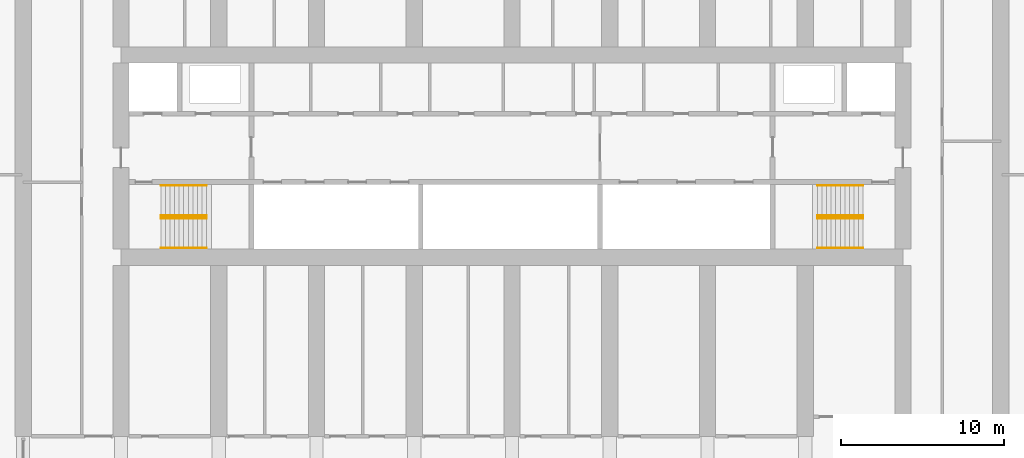
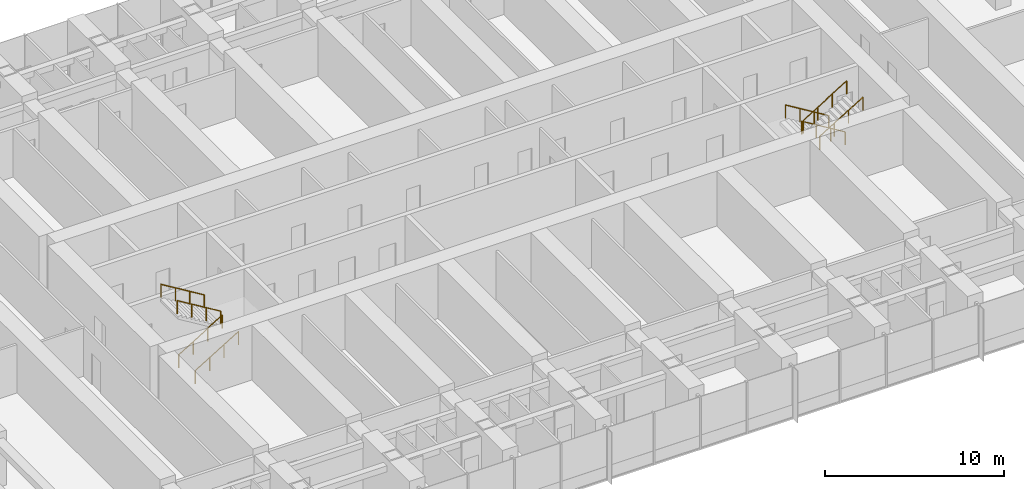
# One storey, part 23 of 23: 8 railings.
"""IFC4 building model written with IfcOpenShell, lengths in metres."""

import ifcopenshell
import ifcopenshell.guid

model = None  # the IFC model being written
_history = None  # IfcOwnerHistory: only IFC2X3 demands one
_inside = {}  # id of a spatial element -> (the spatial element, [elements in it])
_under = {}  # id of a project, library or spatial element -> (it, [spatial elements below it])
_declared = {}  # id of a project -> (the project, [libraries it declares])
_typed = {}  # id of a type object -> (the type object, [elements of that type])
_made_of = {}  # id of a material, layer set ... -> (it, [elements and type objects made of it])


def new_model(schema):
    """Start an empty IFC model of exactly this schema.

    Asked for "IFC4X3", IfcOpenShell would pick the latest addendum, in which some entities
    have other attributes; the version numbers below select the first issue.
    IFC2X3 requires an IfcOwnerHistory on every rooted entity: one is made here for all.
    """
    global model, _history
    if schema == "IFC4X3":
        model = ifcopenshell.file(schema_version=(4, 3, 0, 0))
    else:
        model = ifcopenshell.file(schema=schema)
    _inside.clear()
    _under.clear()
    _declared.clear()
    _typed.clear()
    _made_of.clear()
    _history = None
    if model.schema == "IFC2X3":
        org = make("IfcOrganization", Name="unknown")
        user = make(
            "IfcPersonAndOrganization",
            ThePerson=make("IfcPerson", FamilyName="unknown"),
            TheOrganization=org,
        )
        app = make(
            "IfcApplication",
            ApplicationDeveloper=org,
            Version="unknown",
            ApplicationFullName="unknown",
            ApplicationIdentifier="unknown",
        )
        _history = make(
            "IfcOwnerHistory",
            OwningUser=user,
            OwningApplication=app,
            ChangeAction="ADDED",
            CreationDate=0,
        )
    return model


def make(cls, **values):
    """One entity of the class cls with the attributes given. An attribute that is None is left unset."""
    return model.create_entity(
        cls, **{name: value for name, value in values.items() if value is not None}
    )


def rooted(cls, **values):
    """An entity with a GlobalId (a new one), such as an element, a storey or a relation."""
    return make(cls, GlobalId=ifcopenshell.guid.new(), OwnerHistory=_history, **values)


def si_unit(unit_type, name, prefix=None):
    """IfcSIUnit, for example si_unit("LENGTHUNIT", "METRE", prefix="MILLI")."""
    return make("IfcSIUnit", UnitType=unit_type, Prefix=prefix, Name=name)


def assignment(units):
    """IfcUnitAssignment: the units of a project."""
    return None if units is None else make("IfcUnitAssignment", Units=units)


def point(xyz):
    """IfcCartesianPoint."""
    return None if xyz is None else make("IfcCartesianPoint", Coordinates=xyz)


def direction(xyz):
    """IfcDirection."""
    return None if xyz is None else make("IfcDirection", DirectionRatios=xyz)


def frame(location, z_axis=None, x_axis=None):
    """IfcAxis2Placement3D, a coordinate frame: its origin and axes. An axis left out is left unset."""
    return make(
        "IfcAxis2Placement3D",
        Location=point(location),
        Axis=direction(z_axis),
        RefDirection=direction(x_axis),
    )


def frame_2d(location, x_axis=None):
    """IfcAxis2Placement2D, a coordinate frame in the plane: its origin and x axis."""
    return make(
        "IfcAxis2Placement2D", Location=point(location), RefDirection=direction(x_axis)
    )


def origin():
    """The frame at (0, 0, 0) with its axes left unset."""
    return frame((0.0, 0.0, 0.0))


def origin_2d():
    """The frame at (0, 0) in the plane with its x axis left unset."""
    return frame_2d((0.0, 0.0))


def place(relative_to, where):
    """IfcLocalPlacement: puts the frame where relative to a parent placement (None: the world)."""
    return make(
        "IfcLocalPlacement", PlacementRelTo=relative_to, RelativePlacement=where
    )


def context(
    kind, dimensions, precision=None, world=None, true_north=None, identifier=None
):
    """IfcGeometricRepresentationContext, for example the 3D "Model" context."""
    return make(
        "IfcGeometricRepresentationContext",
        ContextIdentifier=identifier,
        ContextType=kind,
        CoordinateSpaceDimension=dimensions,
        Precision=precision,
        WorldCoordinateSystem=world,
        TrueNorth=true_north,
    )


def subcontext(parent, identifier, kind, view, scale=None):
    """IfcGeometricRepresentationSubContext, for example "Body" below "Model"."""
    return make(
        "IfcGeometricRepresentationSubContext",
        ContextIdentifier=identifier,
        ContextType=kind,
        ParentContext=parent,
        TargetScale=scale,
        TargetView=view,
    )


def project(units=None, contexts=None):
    """IfcProject with its units and contexts."""
    return rooted(
        "IfcProject",
        Name="project",
        RepresentationContexts=contexts,
        UnitsInContext=assignment(units),
    )


def spatial(cls, under=None, at=None, **own):
    """A site, building, storey or space (cls), placed at a placement, below another one or the project."""
    s = rooted(cls, ObjectPlacement=at, **own)
    if under is not None:
        _under.setdefault(under.id(), (under, []))[1].append(s)
    return s


def profile(cls, at=None, kind="AREA", **sizes):
    """A parametric profile (cls). Its sizes go by their IFC names, for example OverallWidth=200.0."""
    return make(cls, ProfileType=kind, Position=at, **sizes)


def circle(**sizes):
    """IfcCircleProfileDef."""
    return profile("IfcCircleProfileDef", **sizes)


def extrude(swept, where, along, depth):
    """IfcExtrudedAreaSolid: the profile swept, set in the frame where, extruded along a direction by depth."""
    return make(
        "IfcExtrudedAreaSolid",
        SweptArea=swept,
        Position=where,
        ExtrudedDirection=direction(along),
        Depth=depth,
    )


def shape(context_of_items, identifier, shape_type, items):
    """IfcShapeRepresentation: the items that make up one representation, for example the "Body"."""
    return make(
        "IfcShapeRepresentation",
        ContextOfItems=context_of_items,
        RepresentationIdentifier=identifier,
        RepresentationType=shape_type,
        Items=items,
    )


def material(Name=None, Category=None):
    """IfcMaterial."""
    return make("IfcMaterial", Name=Name, Category=Category)


def made_of(thing, what):
    """Note that an element or type object is made of a material, layer set ...; save() writes the relation."""
    if what is not None:
        _made_of.setdefault(what.id(), (what, []))[1].append(thing)
    return thing


def type_object(cls, material=None, **own):
    """A type object (cls), such as IfcWallType, which elements share."""
    return made_of(rooted(cls, **own), material)


def element(
    cls,
    number,
    at=None,
    inside=None,
    cuts=None,
    type_object=None,
    material=None,
    context=None,
    identifier="Body",
    shape_type=None,
    held_by="IfcProductDefinitionShape",
    body=None,
    shapes=None,
    **own,
):
    """One element of the class cls, such as IfcWall. Its Tag is "e" and its number.

    at: its placement. inside: the storey or other place that contains it. cuts: it is an
    opening in that element (IfcRelVoidsElement). A single representation is given by context,
    identifier, shape_type and body (its items); several are given by shapes. held_by: the class
    of the entity that holds the representations. save() writes the other relations.
    """
    e = rooted(cls, Tag="e%d" % number, ObjectPlacement=at, **own)
    if body is not None:
        shapes = [shape(context, identifier, shape_type, body)]
    if shapes is not None:
        e.Representation = make(held_by, Representations=shapes)
    if inside is not None:
        _inside.setdefault(inside.id(), (inside, []))[1].append(e)
    if cuts is not None:
        rooted(
            "IfcRelVoidsElement", RelatingBuildingElement=cuts, RelatedOpeningElement=e
        )
    if type_object is not None:
        _typed.setdefault(type_object.id(), (type_object, []))[1].append(e)
    return made_of(e, material)


def aggregate(whole, parts):
    """IfcRelAggregates: a whole, such as a stair, and the parts it consists of."""
    return rooted("IfcRelAggregates", RelatingObject=whole, RelatedObjects=parts)


def save(model, path):
    """Write the relations noted so far, then the file.

    IfcRelAggregates (storeys below a building ...), IfcRelContainedInSpatialStructure (elements
    in a storey), IfcRelDefinesByType, IfcRelAssociatesMaterial and IfcRelDeclares: one each for
    every whole, place, type object, material and project.
    """
    for whole, parts in _under.values():
        aggregate(whole, parts)
    for where, things in _inside.values():
        rooted(
            "IfcRelContainedInSpatialStructure",
            RelatedElements=things,
            RelatingStructure=where,
        )
    for kind, things in _typed.values():
        rooted("IfcRelDefinesByType", RelatedObjects=things, RelatingType=kind)
    for what, things in _made_of.values():
        rooted("IfcRelAssociatesMaterial", RelatedObjects=things, RelatingMaterial=what)
    for by, libraries in _declared.values():
        rooted("IfcRelDeclares", RelatingContext=by, RelatedDefinitions=libraries)
    model.write(path)


model = new_model("IFC4")

# Units and contexts
model_context = context("Model", 3, precision=1e-05, world=origin(), true_north=direction((0.0, 1.0)))
body_context = subcontext(model_context, "Body", "Model", "MODEL_VIEW")
ifc_project = project(units=[si_unit("LENGTHUNIT", "METRE"), si_unit("AREAUNIT", "SQUARE_METRE"), si_unit("VOLUMEUNIT", "CUBIC_METRE"), si_unit("PLANEANGLEUNIT", "RADIAN"), si_unit("MASSUNIT", "GRAM", prefix="KILO")], contexts=[model_context])

# Site, building, storey
site_placement = place(None, origin())
site = spatial("IfcSite", under=ifc_project, at=site_placement, CompositionType="ELEMENT")
building_placement = place(site_placement, origin())
building = spatial("IfcBuilding", under=site, at=building_placement, Name="Orbita Commons", CompositionType="ELEMENT")
storey_placement = place(building_placement, frame((0.0, 0.0, 50.199951171875)))
storey = spatial("IfcBuildingStorey", under=building, at=storey_placement, Name="L12", CompositionType="ELEMENT", Elevation=50.199951171875)

# Railings
ifc_material = material(Name="Steel tube, painted", Category="steel")
railing_type = type_object("IfcRailingType", Name="Stair handrail steel tube 900", PredefinedType="HANDRAIL", material=ifc_material)
for number, where, name in (
    (1, (20.449951171875, 28.18994140625, 0.17041015625), "Stair S1 handrail L12 flight 1"),
    (2, (20.449951171875, 26.360107421875, 0.17041015625), "Stair S1 handrail L12 flight 1"),
):
    element("IfcRailing", number, at=place(storey_placement, frame(where)), inside=storey, type_object=railing_type, Name=name, PredefinedType="HANDRAIL", context=body_context, shape_type="SweptSolid", body=[
        extrude(circle(Radius=0.02099609375, at=origin_2d()), frame((0.0, 0.0, 0.87890625), z_axis=(0.854169791009, 0.0, 0.51999420009), x_axis=(0.0, 1.0, 0.0)), (0.0, 0.0, 1.0), 3.278076171875),
        extrude(circle(Radius=0.02001953125, at=origin_2d()), origin(), (0.0, 0.0, 1.0), 0.85791015625),
        extrude(circle(Radius=0.02001953125, at=origin_2d()), frame((0.933349609375, 0.0, 0.568115234375)), (0.0, 0.0, 1.0), 0.85791015625),
        extrude(circle(Radius=0.02001953125, at=origin_2d()), frame((1.86669921875, 0.0, 1.136474609375)), (0.0, 0.0, 1.0), 0.85791015625),
        extrude(circle(Radius=0.02001953125, at=origin_2d()), frame((2.800048828125, 0.0, 1.70458984375)), (0.0, 0.0, 1.0), 0.85791015625),
    ])
for number, where, name in (
    (3, (23.25, 28.360107421875, 2.04541015625), "Stair S1 handrail L12 flight 2"),
    (4, (23.25, 30.18994140625, 2.04541015625), "Stair S1 handrail L12 flight 2"),
    (5, (63.550048828125, 28.360107421875, 0.17041015625), "Stair S2 handrail L12 flight 1"),
    (6, (63.550048828125, 30.18994140625, 0.17041015625), "Stair S2 handrail L12 flight 1"),
):
    element("IfcRailing", number, at=place(storey_placement, frame(where)), inside=storey, type_object=railing_type, Name=name, PredefinedType="HANDRAIL", context=body_context, shape_type="SweptSolid", body=[
        extrude(circle(Radius=0.02099609375, at=origin_2d()), frame((0.0, 0.0, 0.87890625), z_axis=(-0.854169791009, 0.0, 0.51999420009), x_axis=(0.0, -1.0, 0.0)), (0.0, 0.0, 1.0), 3.278076171875),
        extrude(circle(Radius=0.02001953125, at=origin_2d()), origin(), (0.0, 0.0, 1.0), 0.85791015625),
        extrude(circle(Radius=0.02001953125, at=origin_2d()), frame((-0.933349609375, 0.0, 0.568115234375)), (0.0, 0.0, 1.0), 0.85791015625),
        extrude(circle(Radius=0.02001953125, at=origin_2d()), frame((-1.86669921875, 0.0, 1.136474609375)), (0.0, 0.0, 1.0), 0.85791015625),
        extrude(circle(Radius=0.02001953125, at=origin_2d()), frame((-2.800048828125, 0.0, 1.70458984375)), (0.0, 0.0, 1.0), 0.85791015625),
    ])
for number, where, name in (
    (7, (60.75, 28.18994140625, 2.04541015625), "Stair S2 handrail L12 flight 2"),
    (8, (60.75, 26.360107421875, 2.04541015625), "Stair S2 handrail L12 flight 2"),
):
    element("IfcRailing", number, at=place(storey_placement, frame(where)), inside=storey, type_object=railing_type, Name=name, PredefinedType="HANDRAIL", context=body_context, shape_type="SweptSolid", body=[
        extrude(circle(Radius=0.02099609375, at=origin_2d()), frame((0.0, 0.0, 0.87890625), z_axis=(0.854169791009, 0.0, 0.51999420009), x_axis=(0.0, 1.0, 0.0)), (0.0, 0.0, 1.0), 3.278076171875),
        extrude(circle(Radius=0.02001953125, at=origin_2d()), origin(), (0.0, 0.0, 1.0), 0.85791015625),
        extrude(circle(Radius=0.02001953125, at=origin_2d()), frame((0.933349609375, 0.0, 0.568115234375)), (0.0, 0.0, 1.0), 0.85791015625),
        extrude(circle(Radius=0.02001953125, at=origin_2d()), frame((1.86669921875, 0.0, 1.136474609375)), (0.0, 0.0, 1.0), 0.85791015625),
        extrude(circle(Radius=0.02001953125, at=origin_2d()), frame((2.800048828125, 0.0, 1.70458984375)), (0.0, 0.0, 1.0), 0.85791015625),
    ])

save(model, "model.ifc")
